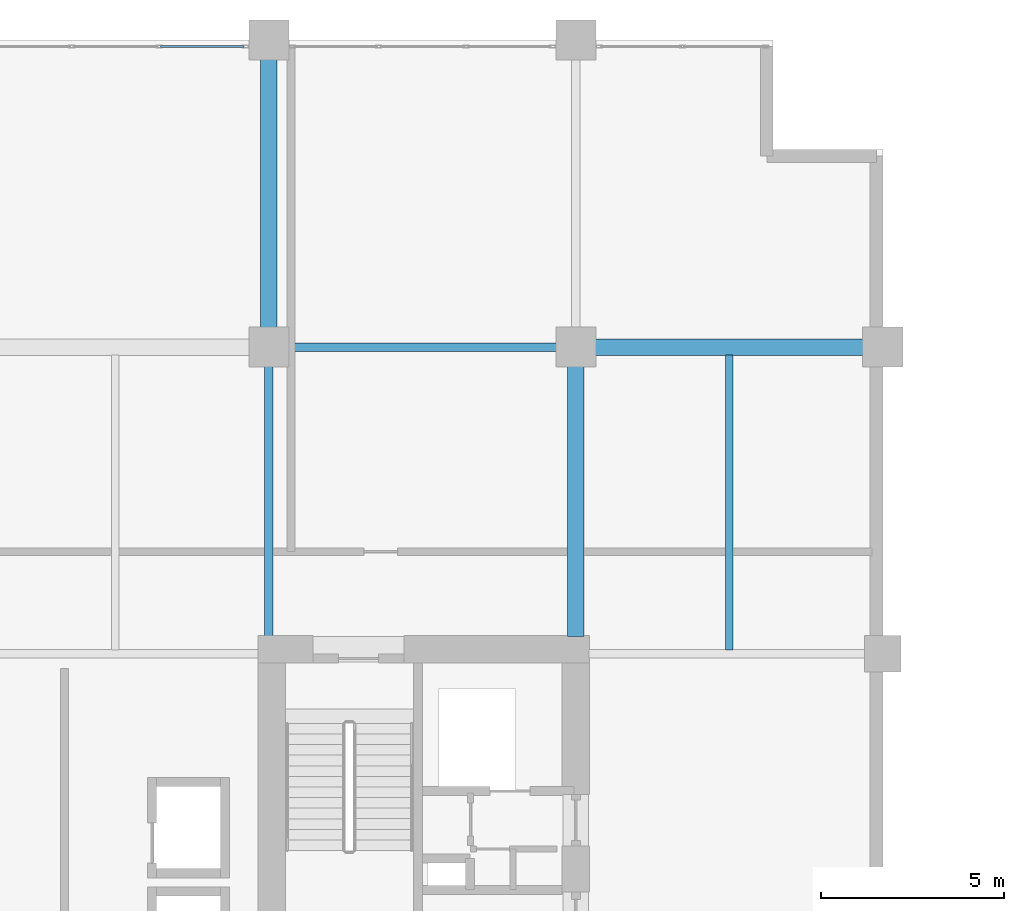
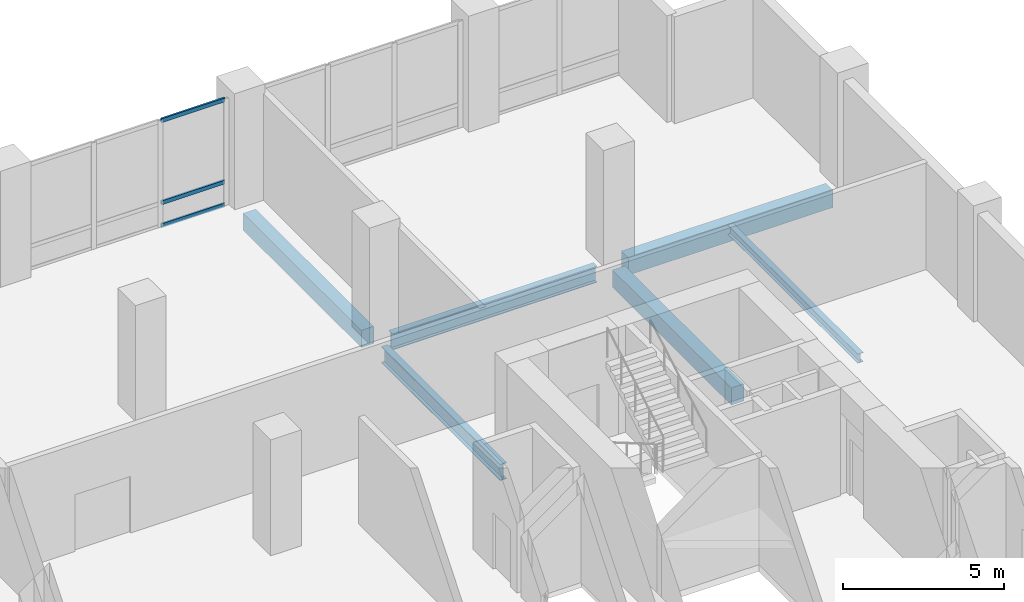
# One storey, part 10 of 25: 6 beams, 3 members, 1 element without a shape of its own.
"""IFC4 building model written with IfcOpenShell, lengths in metres."""

from ifc_helpers import new_model, si_unit, direction, frame, origin, origin_2d, place, context, subcontext, project, spatial, rectangle, hollow_rectangle, i_section, extrude, material, layer, layer_set, material_profile, profile_set, type_object, element, aggregate, save


model = new_model("IFC4")

# Units and contexts
model_context = context("Model", 3, precision=1e-05, world=origin(), true_north=direction((0.0, 1.0)))
body_context = subcontext(model_context, "Body", "Model", "MODEL_VIEW")
ifc_project = project(units=[si_unit("LENGTHUNIT", "METRE"), si_unit("AREAUNIT", "SQUARE_METRE"), si_unit("VOLUMEUNIT", "CUBIC_METRE"), si_unit("PLANEANGLEUNIT", "RADIAN"), si_unit("MASSUNIT", "GRAM", prefix="KILO")], contexts=[model_context])

# Site, building, storey
site_placement = place(None, origin())
site = spatial("IfcSite", under=ifc_project, at=site_placement, CompositionType="ELEMENT")
building_placement = place(site_placement, origin())
building = spatial("IfcBuilding", under=site, at=building_placement, Name="Koriwani Terraces Tower", CompositionType="ELEMENT")
storey_placement = place(building_placement, frame((0.0, 0.0, 157.60009765625)))
storey = spatial("IfcBuildingStorey", under=building, at=storey_placement, Name="L38", CompositionType="ELEMENT", Elevation=157.60009765625)

# Beams
ifc_material_1 = material(Name="Concrete C50/60", Category="concrete")
ifc_material_profile_1 = material_profile(ifc_material_1, rectangle(XDim=0.449951171875, YDim=0.64990234375, at=origin_2d()), Name="Concrete C50/60", Category="LoadBearing")
ifc_profile_set_1 = profile_set([ifc_material_profile_1], Name="Concrete C50/60")
beam_type_1 = type_object("IfcBeamType", Name="BEAM_RC_GRID_450X650", PredefinedType="BEAM", material=ifc_profile_set_1)
for number, where, z_axis, x_axis, name in (
    (1, (25.72998046875, 67.199951171875, -0.5751953125), (1.0, 0.0, 0.0), (0.0, 1.0, 0.0), "L38 Grid Beam I (25.2-33.6m)"),
    (2, (16.800048828125, 67.72998046875, -0.5751953125), (0.0, 1.0, 0.0), (-1.0, 0.0, 0.0), "L38 Grid Beam 3 (67.2-75.6m)"),
):
    element("IfcBeam", number, at=place(storey_placement, frame(where, z_axis=z_axis, x_axis=x_axis)), inside=storey, type_object=beam_type_1, Name=name, PredefinedType="BEAM", context=body_context, shape_type="SweptSolid", body=[
        extrude(rectangle(XDim=0.449951171875, YDim=0.64990234375, at=origin_2d()), origin(), (0.0, 0.0, 1.0), 7.340087890625),
    ])
beam_1_placement = place(storey_placement, frame((25.199951171875, 59.280029296875, -0.5751953125), z_axis=(0.0, 1.0, 0.0), x_axis=(-1.0, 0.0, 0.0)))
element("IfcBeam", 3, at=beam_1_placement, inside=storey, type_object=beam_type_1, Name="L38 Grid Beam 4 (58.8-67.2m)", PredefinedType="BEAM", context=body_context, shape_type="SweptSolid", body=[
    extrude(rectangle(XDim=0.449951171875, YDim=0.64990234375, at=origin_2d()), origin(), (0.0, 0.0, 1.0), 7.389892578125),
])

# Curtain wall, members
ifc_material_2 = material(Name="Anodised Bronze Aluminium", Category="aluminium")
ifc_layer = layer(ifc_material_2, 0.169921875, Name="Anodised Bronze Aluminium")
ifc_layer_set = layer_set([ifc_layer], Name="Anodised Bronze Aluminium")
curtain_wall_type = type_object("IfcCurtainWallType", Name="CW_RES_ZONE3", PredefinedType="NOTDEFINED", material=ifc_layer_set)
curtain_wall_placement = place(storey_placement, origin())
curtain_wall = element("IfcCurtainWall", 4, at=curtain_wall_placement, inside=storey, type_object=curtain_wall_type, Name="L38 Unitised Curtain Wall (N_TIP) Bay 2", PredefinedType="NOTDEFINED")
ifc_material_profile_2 = material_profile(ifc_material_2, hollow_rectangle(XDim=0.06494140625, YDim=0.14990234375, WallThickness=0.0048828125, at=origin_2d()), Name="Anodised Bronze Aluminium", Category="LoadBearing")
ifc_profile_set_2 = profile_set([ifc_material_profile_2], Name="Anodised Bronze Aluminium")
member_type = type_object("IfcMemberType", Name="CW_TRANSOM_150X65", PredefinedType="USERDEFINED", material=ifc_profile_set_2)
member_1_placement = place(storey_placement, frame((13.834228515625, 75.425048828125, 0.032470703125), z_axis=(1.0, 0.0, 0.0), x_axis=(0.0, 1.0, 0.0)))
member_1 = element("IfcMember", 5, at=member_1_placement, type_object=member_type, Name="CW-Z3 transom 3.1", ObjectType="TRANSOM", PredefinedType="USERDEFINED", context=body_context, shape_type="SweptSolid", body=[
    extrude(hollow_rectangle(XDim=0.06494140625, YDim=0.14990234375, WallThickness=0.0048828125, at=origin_2d()), origin(), (0.0, 0.0, 1.0), 2.28076171875),
])
member_2_placement = place(storey_placement, frame((13.834228515625, 75.425048828125, 0.89990234375), z_axis=(1.0, 0.0, 0.0), x_axis=(0.0, 1.0, 0.0)))
member_2 = element("IfcMember", 6, at=member_2_placement, type_object=member_type, Name="CW-Z3 transom 3.2", ObjectType="TRANSOM", PredefinedType="USERDEFINED", context=body_context, shape_type="SweptSolid", body=[
    extrude(hollow_rectangle(XDim=0.06494140625, YDim=0.14990234375, WallThickness=0.0048828125, at=origin_2d()), origin(), (0.0, 0.0, 1.0), 2.28076171875),
])
member_3_placement = place(storey_placement, frame((13.834228515625, 75.425048828125, 4.017333984375), z_axis=(1.0, 0.0, 0.0), x_axis=(0.0, 1.0, 0.0)))
member_3 = element("IfcMember", 7, at=member_3_placement, type_object=member_type, Name="CW-Z3 transom 3.3", ObjectType="TRANSOM", PredefinedType="USERDEFINED", context=body_context, shape_type="SweptSolid", body=[
    extrude(hollow_rectangle(XDim=0.06494140625, YDim=0.14990234375, WallThickness=0.0048828125, at=origin_2d()), origin(), (0.0, 0.0, 1.0), 2.28076171875),
])
aggregate(curtain_wall, [member_1, member_2, member_3])

# Beams
ifc_material_3 = material(Name="Steel ASTM A572 Grade 50", Category="steel")
ifc_material_profile_3 = material_profile(ifc_material_3, i_section(OverallWidth=0.205078125, OverallDepth=0.35400390625, WebThickness=0.009521484375, FlangeThickness=0.016845703125, at=origin_2d()), Name="Steel ASTM A572 Grade 50", Category="LoadBearing")
ifc_profile_set_3 = profile_set([ifc_material_profile_3], Name="Steel ASTM A572 Grade 50")
beam_type_2 = type_object("IfcBeamType", Name="STEEL_BEAM_W360X79", PredefinedType="JOIST", material=ifc_profile_set_3)
beam_2_placement = place(storey_placement, frame((29.39990234375, 58.905517578125, -0.427001953125), z_axis=(0.0, 1.0, 0.0), x_axis=(-1.0, 0.0, 0.0)))
element("IfcBeam", 8, at=beam_2_placement, inside=storey, type_object=beam_type_2, Name="L38 Secondary Steel Floor Joist X=29.4m", PredefinedType="JOIST", context=body_context, shape_type="SweptSolid", body=[
    extrude(i_section(OverallWidth=0.205078125, OverallDepth=0.35400390625, WebThickness=0.009521484375, FlangeThickness=0.016845703125, at=origin_2d()), origin(), (0.0, 0.0, 1.0), 8.07958984375),
])
ifc_material_profile_4 = material_profile(ifc_material_3, i_section(OverallWidth=0.23095703125, OverallDepth=0.616943359375, WebThickness=0.015380859375, FlangeThickness=0.0244140625, at=origin_2d()), Name="Steel ASTM A572 Grade 50", Category="LoadBearing")
ifc_profile_set_4 = profile_set([ifc_material_profile_4], Name="Steel ASTM A572 Grade 50")
beam_type_3 = type_object("IfcBeamType", Name="STEEL_BEAM_W610X195", PredefinedType="BEAM", material=ifc_profile_set_4)
beam_3_placement = place(storey_placement, frame((17.330078125, 67.199951171875, -0.55859375), z_axis=(1.0, 0.0, 0.0), x_axis=(0.0, 1.0, 0.0)))
element("IfcBeam", 9, at=beam_3_placement, inside=storey, type_object=beam_type_3, Name="L38 Grid Beam I (16.8-25.2m)", PredefinedType="BEAM", context=body_context, shape_type="SweptSolid", body=[
    extrude(i_section(OverallWidth=0.23095703125, OverallDepth=0.616943359375, WebThickness=0.015380859375, FlangeThickness=0.0244140625, at=origin_2d()), origin(), (0.0, 0.0, 1.0), 7.33984375),
])
beam_4_placement = place(storey_placement, frame((16.800048828125, 59.280029296875, -0.55859375), z_axis=(0.0, 1.0, 0.0), x_axis=(-1.0, 0.0, 0.0)))
element("IfcBeam", 10, at=beam_4_placement, inside=storey, type_object=beam_type_3, Name="L38 Grid Beam 3 (58.8-67.2m)", PredefinedType="BEAM", context=body_context, shape_type="SweptSolid", body=[
    extrude(i_section(OverallWidth=0.23095703125, OverallDepth=0.616943359375, WebThickness=0.015380859375, FlangeThickness=0.0244140625, at=origin_2d()), origin(), (0.0, 0.0, 1.0), 7.389892578125),
])

save(model, "model.ifc")
